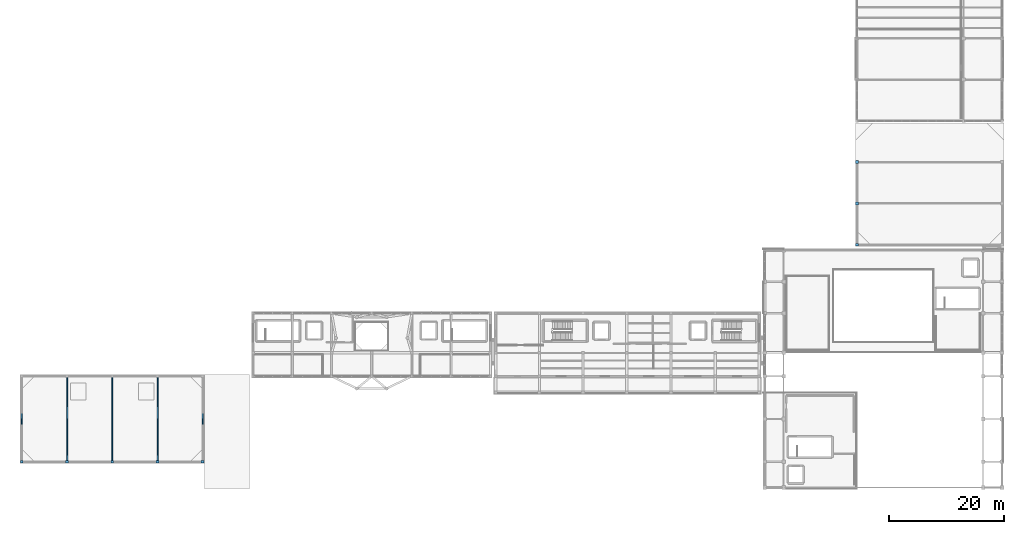
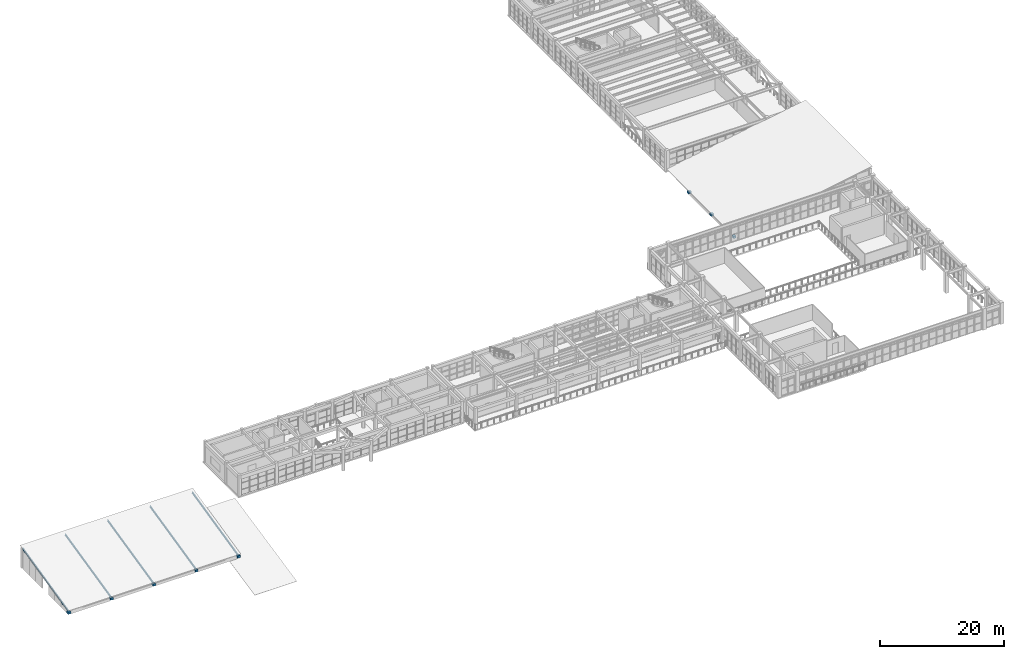
# One storey, part 3 of 66: 8 columns, 5 members.
"""IFC4 building model written with IfcOpenShell, lengths in metres."""

from ifc_helpers import new_model, si_unit, direction, frame, origin, origin_2d, place, context, subcontext, project, spatial, rectangle, i_section, extrude, material, material_profile, profile_set, type_object, element, save


model = new_model("IFC4")

# Units and contexts
model_context = context("Model", 3, precision=1e-05, world=origin(), true_north=direction((0.0, 1.0)))
body_context = subcontext(model_context, "Body", "Model", "MODEL_VIEW")
ifc_project = project(units=[si_unit("LENGTHUNIT", "METRE"), si_unit("AREAUNIT", "SQUARE_METRE"), si_unit("VOLUMEUNIT", "CUBIC_METRE"), si_unit("PLANEANGLEUNIT", "RADIAN"), si_unit("MASSUNIT", "GRAM", prefix="KILO")], contexts=[model_context])

# Site, building, storey
site_placement = place(None, origin())
site = spatial("IfcSite", under=ifc_project, at=site_placement, CompositionType="ELEMENT")
building_placement = place(site_placement, origin())
building = spatial("IfcBuilding", under=site, at=building_placement, Name="Candilejo Ridge Gondola Terminal", CompositionType="ELEMENT")
storey_placement = place(building_placement, frame((0.0, 0.0, 14.39990234375)))
storey = spatial("IfcBuildingStorey", under=building, at=storey_placement, Name="L03", CompositionType="ELEMENT", Elevation=14.39990234375)

# Columns
ifc_material_1 = material(Name="Concrete f'c 35 MPa (C35/45)", Category="concrete")
ifc_material_profile_1 = material_profile(ifc_material_1, rectangle(XDim=0.5, YDim=0.5, at=origin_2d()))
ifc_profile_set_1 = profile_set([ifc_material_profile_1], Name="Concrete f'c 35 MPa (C35/45)")
column_type = type_object("IfcColumnType", Name="STR-COL-RC500", PredefinedType="COLUMN", material=ifc_profile_set_1)
for number, where, z_axis, x_axis, name in (
    (1, (4.300048828125, 10.800048828125, 0.0), (0.0, 0.0, 1.0), (1.0, 0.0, 0.0), "Roof ridge column RF-V1-MAIN-01-S"),
    (2, (12.199951171875, 10.800048828125, 0.0), (0.0, 0.0, 1.0), (1.0, 0.0, 0.0), "Roof ridge column RF-V1-MAIN-02-S"),
    (3, (20.10009765625, 10.800048828125, 0.0), (0.0, 0.0, 1.0), (1.0, 0.0, 0.0), "Roof ridge column RF-V1-MAIN-03-S"),
    (4, (28.0, 10.800048828125, 0.0), (0.0, 0.0, 1.0), (1.0, 0.0, 0.0), "Roof ridge column RF-V1-MAIN-04-S"),
    (5, (35.85009765625, 10.800048828125, 0.0), (0.0, 0.0, 1.0), (1.0, 0.0, 0.0), "Roof ridge column RF-V1-MAIN-05-S"),
):
    element("IfcColumn", number, at=place(storey_placement, frame(where, z_axis=z_axis, x_axis=x_axis)), inside=storey, type_object=column_type, Name=name, PredefinedType="COLUMN", context=body_context, shape_type="SweptSolid", body=[
        extrude(rectangle(XDim=0.5, YDim=0.5, at=origin_2d()), origin(), (0.0, 0.0, 1.0), 0.422119140625),
    ])
for number, where, z_axis, x_axis, name in (
    (6, (150.0, 48.64990234375, 0.0), (0.0, 0.0, 1.0), (1.0, 0.0, 0.0), "Roof ridge post RF-V5-GAR-01-W"),
    (7, (150.0, 55.85009765625, 0.0), (0.0, 0.0, 1.0), (1.0, 0.0, 0.0), "Roof ridge post RF-V5-GAR-02-W"),
    (8, (150.0, 63.050048828125, 0.0), (0.0, 0.0, 1.0), (1.0, 0.0, 0.0), "Roof ridge post RF-V5-GAR-03-W"),
):
    element("IfcColumn", number, at=place(storey_placement, frame(where, z_axis=z_axis, x_axis=x_axis)), inside=storey, type_object=column_type, Name=name, PredefinedType="COLUMN", context=body_context, shape_type="SweptSolid", body=[
        extrude(rectangle(XDim=0.5, YDim=0.5, at=origin_2d()), origin(), (0.0, 0.0, 1.0), 0.40771484375),
    ])

# Members
ifc_material_2 = material(Name="Steel ASTM A992 Grade 50", Category="steel")
ifc_material_profile_2 = material_profile(ifc_material_2, i_section(OverallWidth=0.1708984375, OverallDepth=0.35498046875, WebThickness=0.007080078125, FlangeThickness=0.01171875, at=origin_2d()))
ifc_profile_set_2 = profile_set([ifc_material_profile_2], Name="Steel ASTM A992 Grade 50")
member_type = type_object("IfcMemberType", Name="STR-RAF-W360", PredefinedType="RAFTER", material=ifc_profile_set_2)
for number, where, z_axis, x_axis, name in (
    (9, (4.300048828125, 10.800048828125, 0.34228515625), (0.0, 0.974373164129, 0.224937629189), (-1.0, 0.0, 0.0), "Shed roof rafter RF-V1-MAIN-01"),
    (10, (12.199951171875, 10.800048828125, 0.34228515625), (0.0, 0.974373164129, 0.224937629189), (-1.0, 0.0, 0.0), "Shed roof rafter RF-V1-MAIN-02"),
    (11, (20.10009765625, 10.800048828125, 0.34228515625), (0.0, 0.974373164129, 0.224937629189), (-1.0, 0.0, 0.0), "Shed roof rafter RF-V1-MAIN-03"),
    (12, (28.0, 10.800048828125, 0.34228515625), (0.0, 0.974373164129, 0.224937629189), (-1.0, 0.0, 0.0), "Shed roof rafter RF-V1-MAIN-04"),
    (13, (35.85009765625, 10.800048828125, 0.34228515625), (0.0, 0.974373164129, 0.224937629189), (-1.0, 0.0, 0.0), "Shed roof rafter RF-V1-MAIN-05"),
):
    element("IfcMember", number, at=place(storey_placement, frame(where, z_axis=z_axis, x_axis=x_axis)), inside=storey, type_object=member_type, Name=name, PredefinedType="RAFTER", context=body_context, shape_type="SweptSolid", body=[
        extrude(i_section(OverallWidth=0.1708984375, OverallDepth=0.35498046875, WebThickness=0.007080078125, FlangeThickness=0.01171875, at=origin_2d()), origin(), (0.0, 0.0, 1.0), 15.291748046875),
    ])

save(model, "model.ifc")
